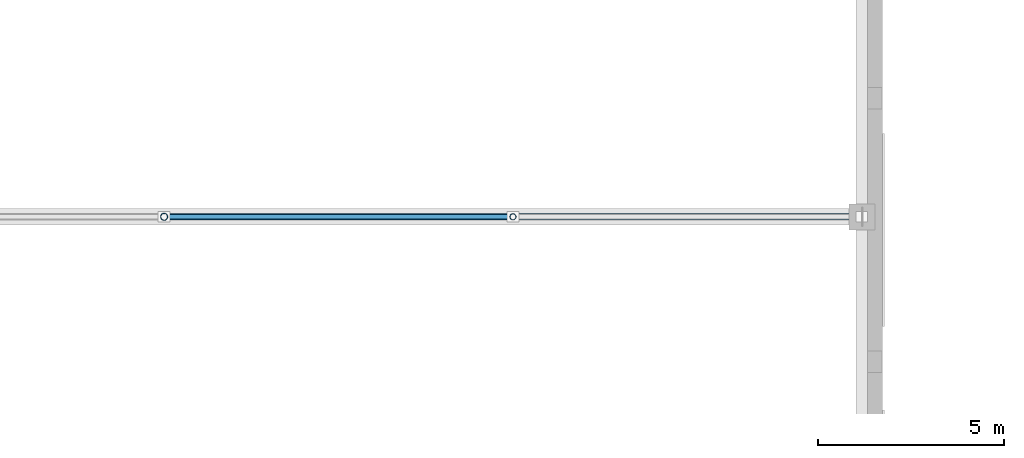
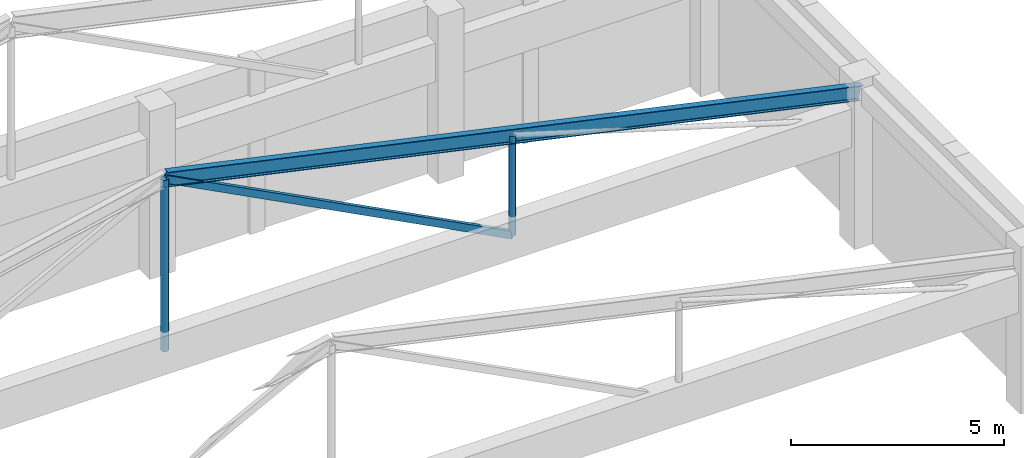
# One storey, part 38 of 105: 3 members, 1 beam.
"""IFC4 building model written with IfcOpenShell, lengths in metres."""

from ifc_helpers import new_model, si_unit, direction, frame, origin, origin_2d, place, context, subcontext, project, spatial, hollow_rectangle, hollow_circle, i_section, extrude, material, material_profile, profile_set, type_object, element, save


model = new_model("IFC4")

# Units and contexts
model_context = context("Model", 3, precision=1e-05, world=origin(), true_north=direction((0.0, 1.0)))
body_context = subcontext(model_context, "Body", "Model", "MODEL_VIEW")
ifc_project = project(units=[si_unit("LENGTHUNIT", "METRE"), si_unit("AREAUNIT", "SQUARE_METRE"), si_unit("VOLUMEUNIT", "CUBIC_METRE"), si_unit("PLANEANGLEUNIT", "RADIAN"), si_unit("MASSUNIT", "GRAM", prefix="KILO")], contexts=[model_context])

# Site, building, storey
site_placement = place(None, origin())
site = spatial("IfcSite", under=ifc_project, at=site_placement, CompositionType="ELEMENT")
building_placement = place(site_placement, origin())
building = spatial("IfcBuilding", under=site, at=building_placement, Name="Pelvatis Terrace Science Centre", CompositionType="ELEMENT")
storey_placement = place(building_placement, frame((0.0, 0.0, 10.199951171875)))
storey = spatial("IfcBuildingStorey", under=building, at=storey_placement, Name="L02", CompositionType="ELEMENT", Elevation=10.199951171875)

# Beam
ifc_material_1 = material(Name="Structural steel S355", Category="steel")
ifc_material_profile_1 = material_profile(ifc_material_1, i_section(OverallWidth=0.179931640625, OverallDepth=0.4130859375, WebThickness=0.009765625, FlangeThickness=0.01611328125, FilletRadius=0.011962890625, at=origin_2d()), Name="W410x75")
ifc_profile_set_1 = profile_set([ifc_material_profile_1], Name="Structural steel S355")
beam_type = type_object("IfcBeamType", Name="BM-STL-W410x75", PredefinedType="BEAM", material=ifc_profile_set_1)
beam_placement = place(storey_placement, frame((27.300048828125, 109.199951171875, 8.300048828125), z_axis=(0.977034495262, 0.0, -0.213081193603), x_axis=(0.0, 1.0, 0.0)))
element("IfcBeam", 1, at=beam_placement, inside=storey, type_object=beam_type, Name="Theatre roof truss 6 east top girder", PredefinedType="BEAM", context=body_context, shape_type="SweptSolid", body=[
    extrude(i_section(OverallWidth=0.179931640625, OverallDepth=0.4130859375, WebThickness=0.009765625, FlangeThickness=0.01611328125, FilletRadius=0.011962890625, at=origin_2d()), origin(), (0.0, 0.0, 1.0), 19.241943359375),
])

# Members
ifc_material_2 = material(Name="Structural steel S355", Category="steel")
ifc_material_profile_2 = material_profile(ifc_material_2, hollow_rectangle(XDim=0.1201171875, YDim=0.199951171875, WallThickness=0.00634765625, at=origin_2d()), Name="RHS 200x120x6.3")
ifc_profile_set_2 = profile_set([ifc_material_profile_2], Name="Structural steel S355")
member_type_1 = type_object("IfcMemberType", Name="MEM-BRC-RHS200", PredefinedType="BRACE", material=ifc_profile_set_2)
member_1_placement = place(storey_placement, frame((36.699951171875, 109.199951171875, 3.400146484375), z_axis=(-0.886754801101, 0.0, 0.462240113711), x_axis=(0.0, -1.0, 0.0)))
element("IfcMember", 2, at=member_1_placement, inside=storey, type_object=member_type_1, Name="Theatre truss 6 web 6", PredefinedType="BRACE", context=body_context, shape_type="SweptSolid", body=[
    extrude(hollow_rectangle(XDim=0.1201171875, YDim=0.199951171875, WallThickness=0.00634765625, at=origin_2d()), origin(), (0.0, 0.0, 1.0), 10.600341796875),
])
ifc_material_3 = material(Name="Structural steel S355", Category="steel")
ifc_material_profile_3 = material_profile(ifc_material_3, hollow_circle(Radius=0.084228515625, WallThickness=0.00634765625, at=origin_2d()), Name="CHS 168.3x6.3")
ifc_profile_set_3 = profile_set([ifc_material_profile_3], Name="Structural steel S355")
member_type_2 = type_object("IfcMemberType", Name="MEM-STR-CHS168", PredefinedType="STRUT", material=ifc_profile_set_3)
member_2_placement = place(storey_placement, frame((36.699951171875, 109.199951171875, 3.400146484375), z_axis=(0.0, 0.0, 1.0), x_axis=(1.0, 0.0, 0.0)))
element("IfcMember", 3, at=member_2_placement, inside=storey, type_object=member_type_2, Name="Theatre truss 6 web 2", PredefinedType="STRUT", context=body_context, shape_type="SweptSolid", body=[
    extrude(hollow_circle(Radius=0.084228515625, WallThickness=0.00634765625, at=origin_2d()), origin(), (0.0, 0.0, 1.0), 2.849853515625),
])
ifc_material_4 = material(Name="Structural steel S355", Category="steel")
ifc_material_profile_4 = material_profile(ifc_material_4, hollow_circle(Radius=0.096923828125, WallThickness=0.008056640625, at=origin_2d()), Name="CHS 193.7x8.0")
ifc_profile_set_4 = profile_set([ifc_material_profile_4], Name="Structural steel S355")
member_type_3 = type_object("IfcMemberType", Name="MEM-STR-CHS194", PredefinedType="STRUT", material=ifc_profile_set_4)
member_3_placement = place(storey_placement, frame((27.300048828125, 109.199951171875, 3.400146484375), z_axis=(0.0, 0.0, 1.0), x_axis=(1.0, 0.0, 0.0)))
element("IfcMember", 4, at=member_3_placement, inside=storey, type_object=member_type_3, Name="Theatre roof truss 6 king strut", PredefinedType="STRUT", context=body_context, shape_type="SweptSolid", body=[
    extrude(hollow_circle(Radius=0.096923828125, WallThickness=0.008056640625, at=origin_2d()), origin(), (0.0, 0.0, 1.0), 4.89990234375),
])

save(model, "model.ifc")
